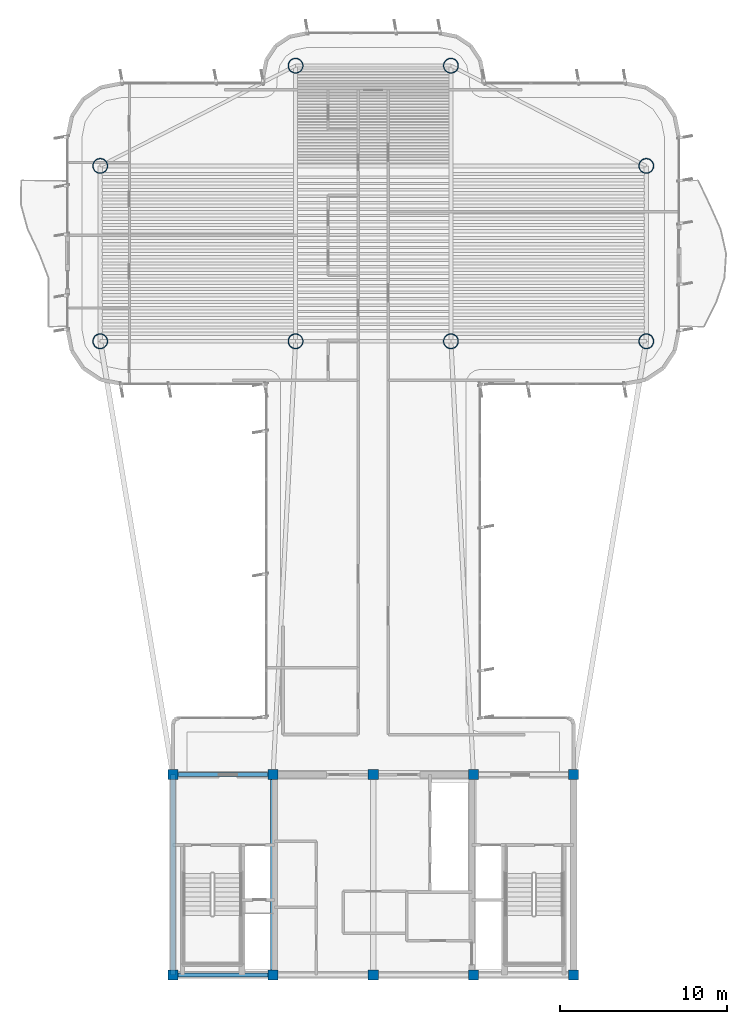
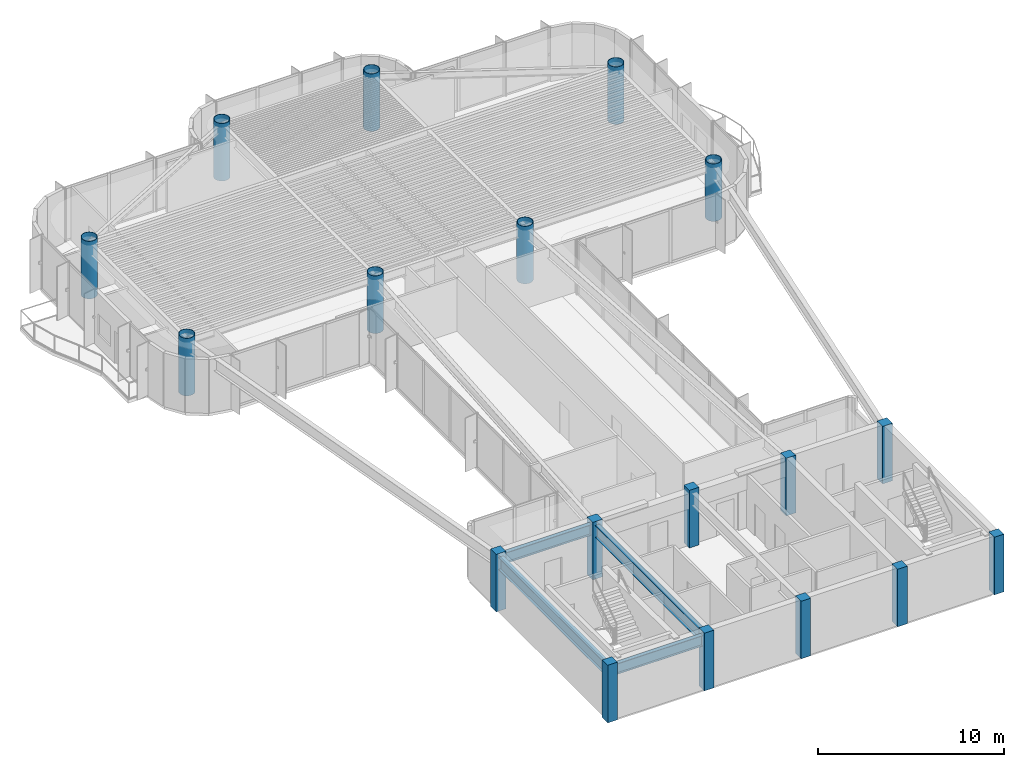
# One storey, part 1 of 15: 18 columns, 4 beams.
"""IFC4 building model written with IfcOpenShell, lengths in metres."""

import ifcopenshell
import ifcopenshell.guid

model = None  # the IFC model being written
_history = None  # IfcOwnerHistory: only IFC2X3 demands one
_inside = {}  # id of a spatial element -> (the spatial element, [elements in it])
_under = {}  # id of a project, library or spatial element -> (it, [spatial elements below it])
_declared = {}  # id of a project -> (the project, [libraries it declares])
_typed = {}  # id of a type object -> (the type object, [elements of that type])
_made_of = {}  # id of a material, layer set ... -> (it, [elements and type objects made of it])


def new_model(schema):
    """Start an empty IFC model of exactly this schema.

    Asked for "IFC4X3", IfcOpenShell would pick the latest addendum, in which some entities
    have other attributes; the version numbers below select the first issue.
    IFC2X3 requires an IfcOwnerHistory on every rooted entity: one is made here for all.
    """
    global model, _history
    if schema == "IFC4X3":
        model = ifcopenshell.file(schema_version=(4, 3, 0, 0))
    else:
        model = ifcopenshell.file(schema=schema)
    _inside.clear()
    _under.clear()
    _declared.clear()
    _typed.clear()
    _made_of.clear()
    _history = None
    if model.schema == "IFC2X3":
        org = make("IfcOrganization", Name="unknown")
        user = make(
            "IfcPersonAndOrganization",
            ThePerson=make("IfcPerson", FamilyName="unknown"),
            TheOrganization=org,
        )
        app = make(
            "IfcApplication",
            ApplicationDeveloper=org,
            Version="unknown",
            ApplicationFullName="unknown",
            ApplicationIdentifier="unknown",
        )
        _history = make(
            "IfcOwnerHistory",
            OwningUser=user,
            OwningApplication=app,
            ChangeAction="ADDED",
            CreationDate=0,
        )
    return model


def make(cls, **values):
    """One entity of the class cls with the attributes given. An attribute that is None is left unset."""
    return model.create_entity(
        cls, **{name: value for name, value in values.items() if value is not None}
    )


def rooted(cls, **values):
    """An entity with a GlobalId (a new one), such as an element, a storey or a relation."""
    return make(cls, GlobalId=ifcopenshell.guid.new(), OwnerHistory=_history, **values)


def si_unit(unit_type, name, prefix=None):
    """IfcSIUnit, for example si_unit("LENGTHUNIT", "METRE", prefix="MILLI")."""
    return make("IfcSIUnit", UnitType=unit_type, Prefix=prefix, Name=name)


def assignment(units):
    """IfcUnitAssignment: the units of a project."""
    return None if units is None else make("IfcUnitAssignment", Units=units)


def point(xyz):
    """IfcCartesianPoint."""
    return None if xyz is None else make("IfcCartesianPoint", Coordinates=xyz)


def direction(xyz):
    """IfcDirection."""
    return None if xyz is None else make("IfcDirection", DirectionRatios=xyz)


def frame(location, z_axis=None, x_axis=None):
    """IfcAxis2Placement3D, a coordinate frame: its origin and axes. An axis left out is left unset."""
    return make(
        "IfcAxis2Placement3D",
        Location=point(location),
        Axis=direction(z_axis),
        RefDirection=direction(x_axis),
    )


def frame_2d(location, x_axis=None):
    """IfcAxis2Placement2D, a coordinate frame in the plane: its origin and x axis."""
    return make(
        "IfcAxis2Placement2D", Location=point(location), RefDirection=direction(x_axis)
    )


def origin():
    """The frame at (0, 0, 0) with its axes left unset."""
    return frame((0.0, 0.0, 0.0))


def origin_2d():
    """The frame at (0, 0) in the plane with its x axis left unset."""
    return frame_2d((0.0, 0.0))


def place(relative_to, where):
    """IfcLocalPlacement: puts the frame where relative to a parent placement (None: the world)."""
    return make(
        "IfcLocalPlacement", PlacementRelTo=relative_to, RelativePlacement=where
    )


def context(
    kind, dimensions, precision=None, world=None, true_north=None, identifier=None
):
    """IfcGeometricRepresentationContext, for example the 3D "Model" context."""
    return make(
        "IfcGeometricRepresentationContext",
        ContextIdentifier=identifier,
        ContextType=kind,
        CoordinateSpaceDimension=dimensions,
        Precision=precision,
        WorldCoordinateSystem=world,
        TrueNorth=true_north,
    )


def subcontext(parent, identifier, kind, view, scale=None):
    """IfcGeometricRepresentationSubContext, for example "Body" below "Model"."""
    return make(
        "IfcGeometricRepresentationSubContext",
        ContextIdentifier=identifier,
        ContextType=kind,
        ParentContext=parent,
        TargetScale=scale,
        TargetView=view,
    )


def project(units=None, contexts=None):
    """IfcProject with its units and contexts."""
    return rooted(
        "IfcProject",
        Name="project",
        RepresentationContexts=contexts,
        UnitsInContext=assignment(units),
    )


def spatial(cls, under=None, at=None, **own):
    """A site, building, storey or space (cls), placed at a placement, below another one or the project."""
    s = rooted(cls, ObjectPlacement=at, **own)
    if under is not None:
        _under.setdefault(under.id(), (under, []))[1].append(s)
    return s


def profile(cls, at=None, kind="AREA", **sizes):
    """A parametric profile (cls). Its sizes go by their IFC names, for example OverallWidth=200.0."""
    return make(cls, ProfileType=kind, Position=at, **sizes)


def rectangle(**sizes):
    """IfcRectangleProfileDef."""
    return profile("IfcRectangleProfileDef", **sizes)


def hollow_circle(**sizes):
    """IfcCircleHollowProfileDef."""
    return profile("IfcCircleHollowProfileDef", **sizes)


def i_section(**sizes):
    """IfcIShapeProfileDef."""
    return profile("IfcIShapeProfileDef", **sizes)


def extrude(swept, where, along, depth):
    """IfcExtrudedAreaSolid: the profile swept, set in the frame where, extruded along a direction by depth."""
    return make(
        "IfcExtrudedAreaSolid",
        SweptArea=swept,
        Position=where,
        ExtrudedDirection=direction(along),
        Depth=depth,
    )


def shape(context_of_items, identifier, shape_type, items):
    """IfcShapeRepresentation: the items that make up one representation, for example the "Body"."""
    return make(
        "IfcShapeRepresentation",
        ContextOfItems=context_of_items,
        RepresentationIdentifier=identifier,
        RepresentationType=shape_type,
        Items=items,
    )


def source(mapping_origin, context_of_items, identifier, shape_type, items):
    """IfcRepresentationMap: a shape defined once, which mapped items show again and again."""
    return make(
        "IfcRepresentationMap",
        MappingOrigin=mapping_origin,
        MappedRepresentation=shape(context_of_items, identifier, shape_type, items),
    )


def transform(
    local_origin,
    x_axis=None,
    y_axis=None,
    z_axis=None,
    scale=None,
    scale2=None,
    scale3=None,
    uniform=True,
):
    """IfcCartesianTransformationOperator3D, or its non-uniform kind. x_axis, y_axis, z_axis: its Axis1, 2, 3."""
    if uniform:
        return make(
            "IfcCartesianTransformationOperator3D",
            Axis1=direction(x_axis),
            Axis2=direction(y_axis),
            LocalOrigin=point(local_origin),
            Scale=scale,
            Axis3=direction(z_axis),
        )
    return make(
        "IfcCartesianTransformationOperator3DnonUniform",
        Axis1=direction(x_axis),
        Axis2=direction(y_axis),
        LocalOrigin=point(local_origin),
        Scale=scale,
        Axis3=direction(z_axis),
        Scale2=scale2,
        Scale3=scale3,
    )


def mapped(mapping_source, mapping_target):
    """IfcMappedItem: shows the shape of a source again, moved by a transform."""
    return make(
        "IfcMappedItem", MappingSource=mapping_source, MappingTarget=mapping_target
    )


def material(Name=None, Category=None):
    """IfcMaterial."""
    return make("IfcMaterial", Name=Name, Category=Category)


def material_profile(
    of_material, cross_section, Name=None, Category=None, Priority=None
):
    """IfcMaterialProfile: a cross section and its material."""
    return make(
        "IfcMaterialProfile",
        Name=Name,
        Material=of_material,
        Profile=cross_section,
        Priority=Priority,
        Category=Category,
    )


def profile_set(profiles, Name=None, composite=None):
    """IfcMaterialProfileSet."""
    return make(
        "IfcMaterialProfileSet",
        Name=Name,
        MaterialProfiles=profiles,
        CompositeProfile=composite,
    )


def made_of(thing, what):
    """Note that an element or type object is made of a material, layer set ...; save() writes the relation."""
    if what is not None:
        _made_of.setdefault(what.id(), (what, []))[1].append(thing)
    return thing


def type_object(cls, material=None, **own):
    """A type object (cls), such as IfcWallType, which elements share."""
    return made_of(rooted(cls, **own), material)


def element(
    cls,
    number,
    at=None,
    inside=None,
    cuts=None,
    type_object=None,
    material=None,
    context=None,
    identifier="Body",
    shape_type=None,
    held_by="IfcProductDefinitionShape",
    body=None,
    shapes=None,
    **own,
):
    """One element of the class cls, such as IfcWall. Its Tag is "e" and its number.

    at: its placement. inside: the storey or other place that contains it. cuts: it is an
    opening in that element (IfcRelVoidsElement). A single representation is given by context,
    identifier, shape_type and body (its items); several are given by shapes. held_by: the class
    of the entity that holds the representations. save() writes the other relations.
    """
    e = rooted(cls, Tag="e%d" % number, ObjectPlacement=at, **own)
    if body is not None:
        shapes = [shape(context, identifier, shape_type, body)]
    if shapes is not None:
        e.Representation = make(held_by, Representations=shapes)
    if inside is not None:
        _inside.setdefault(inside.id(), (inside, []))[1].append(e)
    if cuts is not None:
        rooted(
            "IfcRelVoidsElement", RelatingBuildingElement=cuts, RelatedOpeningElement=e
        )
    if type_object is not None:
        _typed.setdefault(type_object.id(), (type_object, []))[1].append(e)
    return made_of(e, material)


def aggregate(whole, parts):
    """IfcRelAggregates: a whole, such as a stair, and the parts it consists of."""
    return rooted("IfcRelAggregates", RelatingObject=whole, RelatedObjects=parts)


def save(model, path):
    """Write the relations noted so far, then the file.

    IfcRelAggregates (storeys below a building ...), IfcRelContainedInSpatialStructure (elements
    in a storey), IfcRelDefinesByType, IfcRelAssociatesMaterial and IfcRelDeclares: one each for
    every whole, place, type object, material and project.
    """
    for whole, parts in _under.values():
        aggregate(whole, parts)
    for where, things in _inside.values():
        rooted(
            "IfcRelContainedInSpatialStructure",
            RelatedElements=things,
            RelatingStructure=where,
        )
    for kind, things in _typed.values():
        rooted("IfcRelDefinesByType", RelatedObjects=things, RelatingType=kind)
    for what, things in _made_of.values():
        rooted("IfcRelAssociatesMaterial", RelatedObjects=things, RelatingMaterial=what)
    for by, libraries in _declared.values():
        rooted("IfcRelDeclares", RelatingContext=by, RelatedDefinitions=libraries)
    model.write(path)


model = new_model("IFC4")

# Units and contexts
model_context = context("Model", 3, precision=1e-05, world=origin(), true_north=direction((0.0, 1.0)))
body_context = subcontext(model_context, "Body", "Model", "MODEL_VIEW")
ifc_project = project(units=[si_unit("LENGTHUNIT", "METRE"), si_unit("AREAUNIT", "SQUARE_METRE"), si_unit("VOLUMEUNIT", "CUBIC_METRE"), si_unit("PLANEANGLEUNIT", "RADIAN"), si_unit("MASSUNIT", "GRAM", prefix="KILO")], contexts=[model_context])

# Site, building, storey
site_placement = place(None, origin())
site = spatial("IfcSite", under=ifc_project, at=site_placement, CompositionType="ELEMENT")
building_placement = place(site_placement, origin())
building = spatial("IfcBuilding", under=site, at=building_placement, Name="Brelvock Crest Care Tower", CompositionType="ELEMENT")
storey_placement = place(building_placement, frame((0.0, 0.0, 279.719970703125)))
storey = spatial("IfcBuildingStorey", under=building, at=storey_placement, Name="L71", CompositionType="ELEMENT", Elevation=279.719970703125)

# Columns
ifc_material_1 = material(Name="Concrete S65 (65 MPa)", Category="concrete")
ifc_material_profile_1 = material_profile(ifc_material_1, rectangle(XDim=0.60009765625, YDim=0.60009765625, at=origin_2d()), Name="RC600x600")
ifc_profile_set_1 = profile_set([ifc_material_profile_1], Name="Concrete S65 (65 MPa)")
column_type_1 = type_object("IfcColumnType", Name="COL-RC4", PredefinedType="COLUMN", material=ifc_profile_set_1)
shared_shape_1 = source(origin(), body_context, "Body", "SweptSolid", [
    extrude(rectangle(XDim=0.60009765625, YDim=0.60009765625, at=origin_2d()), origin(), (0.0, 0.0, 1.0), 3.780029296875),
])
for number, where, z_axis, x_axis, name in (
    (1, (24.0, 6.0, 0.0), (0.0, 0.0, 1.0), (1.0, 0.0, 0.0), "L71 Core Column CC-01"),
    (2, (30.0, 6.0, 0.0), (0.0, 0.0, 1.0), (1.0, 0.0, 0.0), "L71 Core Column CC-02"),
    (3, (36.0, 6.0, 0.0), (0.0, 0.0, 1.0), (1.0, 0.0, 0.0), "L71 Core Column CC-03"),
    (4, (42.0, 6.0, 0.0), (0.0, 0.0, 1.0), (1.0, 0.0, 0.0), "L71 Core Column CC-04"),
    (5, (48.0, 6.0, 0.0), (0.0, 0.0, 1.0), (1.0, 0.0, 0.0), "L71 Core Column CC-05"),
    (6, (24.0, 18.0, 0.0), (0.0, 0.0, 1.0), (1.0, 0.0, 0.0), "L71 Core Column CC-06"),
    (7, (30.0, 18.0, 0.0), (0.0, 0.0, 1.0), (1.0, 0.0, 0.0), "L71 Core Column CC-07"),
    (8, (36.0, 18.0, 0.0), (0.0, 0.0, 1.0), (1.0, 0.0, 0.0), "L71 Core Column CC-08"),
    (9, (42.0, 18.0, 0.0), (0.0, 0.0, 1.0), (1.0, 0.0, 0.0), "L71 Core Column CC-09"),
    (10, (48.0, 18.0, 0.0), (0.0, 0.0, 1.0), (1.0, 0.0, 0.0), "L71 Core Column CC-10"),
):
    element("IfcColumn", number, at=place(storey_placement, frame(where, z_axis=z_axis, x_axis=x_axis)), inside=storey, type_object=column_type_1, Name=name, PredefinedType="COLUMN", context=body_context, shape_type="MappedRepresentation", body=[
        mapped(shared_shape_1, transform((0.0, 0.0, 0.0), x_axis=(1.0, 0.0, 0.0), y_axis=(0.0, 1.0, 0.0), z_axis=(0.0, 0.0, 1.0), scale=1.0)),
    ])
ifc_material_2 = material(Name="Steel Grade 350", Category="steel")
ifc_material_profile_2 = material_profile(ifc_material_2, hollow_circle(Radius=0.449951171875, WallThickness=0.031982421875, at=origin_2d()), Name="CFT900x32")
ifc_profile_set_2 = profile_set([ifc_material_profile_2], Name="Steel Grade 350")
column_type_2 = type_object("IfcColumnType", Name="COL-MC4", PredefinedType="COLUMN", material=ifc_profile_set_2)
shared_shape_2 = source(origin(), body_context, "Body", "SweptSolid", [
    extrude(hollow_circle(Radius=0.449951171875, WallThickness=0.031982421875, at=origin_2d()), origin(), (0.0, 0.0, 1.0), 3.780029296875),
])
for number, where, z_axis, x_axis, name in (
    (11, (19.64990234375, 43.949951171875, 0.0), (0.0, 0.0, 1.0), (1.0, 0.0, 0.0), "L71 Tower Column M1"),
    (12, (19.64990234375, 54.449951171875, 0.0), (0.0, 0.0, 1.0), (1.0, 0.0, 0.0), "L71 Tower Column M2"),
    (13, (52.35009765625, 43.949951171875, 0.0), (0.0, 0.0, 1.0), (1.0, 0.0, 0.0), "L71 Tower Column M3"),
    (14, (52.35009765625, 54.449951171875, 0.0), (0.0, 0.0, 1.0), (1.0, 0.0, 0.0), "L71 Tower Column M4"),
    (15, (31.35009765625, 43.949951171875, 0.0), (0.0, 0.0, 1.0), (1.0, 0.0, 0.0), "L71 Tower Column M5"),
    (16, (40.64990234375, 43.949951171875, 0.0), (0.0, 0.0, 1.0), (1.0, 0.0, 0.0), "L71 Tower Column M6"),
    (17, (31.35009765625, 60.449951171875, 0.0), (0.0, 0.0, 1.0), (1.0, 0.0, 0.0), "L71 Tower Column M7"),
    (18, (40.64990234375, 60.449951171875, 0.0), (0.0, 0.0, 1.0), (1.0, 0.0, 0.0), "L71 Tower Column M8"),
):
    element("IfcColumn", number, at=place(storey_placement, frame(where, z_axis=z_axis, x_axis=x_axis)), inside=storey, type_object=column_type_2, Name=name, PredefinedType="COLUMN", context=body_context, shape_type="MappedRepresentation", body=[
        mapped(shared_shape_2, transform((0.0, 0.0, 0.0), x_axis=(1.0, 0.0, 0.0), y_axis=(0.0, 1.0, 0.0), z_axis=(0.0, 0.0, 1.0), scale=1.0)),
    ])

# Beams
ifc_material_profile_3 = material_profile(ifc_material_2, i_section(OverallWidth=0.25, OverallDepth=0.699951171875, WebThickness=0.011962890625, FlangeThickness=0.02001953125, at=origin_2d()), Name="700WB150")
ifc_profile_set_3 = profile_set([ifc_material_profile_3], Name="Steel Grade 350")
beam_type_1 = type_object("IfcBeamType", Name="BM-G4", PredefinedType="BEAM", material=ifc_profile_set_3)
shared_shape_3 = source(origin(), body_context, "Body", "SweptSolid", [
    extrude(i_section(OverallWidth=0.25, OverallDepth=0.699951171875, WebThickness=0.011962890625, FlangeThickness=0.02001953125, at=origin_2d()), origin(), (0.0, 0.0, 1.0), 6.0),
])
for number, where, z_axis, x_axis, name in (
    (19, (24.0, 6.0, 3.179931640625), (1.0, 0.0, 0.0), (0.0, 1.0, 0.0), "BM-CORES-L71-1"),
    (20, (24.0, 18.0, 3.179931640625), (1.0, 0.0, 0.0), (0.0, 1.0, 0.0), "BM-COREN-L71-1"),
):
    element("IfcBeam", number, at=place(storey_placement, frame(where, z_axis=z_axis, x_axis=x_axis)), inside=storey, type_object=beam_type_1, Name=name, PredefinedType="BEAM", context=body_context, shape_type="MappedRepresentation", body=[
        mapped(shared_shape_3, transform((0.0, 0.0, 0.0), x_axis=(1.0, 0.0, 0.0), y_axis=(0.0, 1.0, 0.0), z_axis=(0.0, 0.0, 1.0), scale=1.0)),
    ])
ifc_material_profile_4 = material_profile(ifc_material_2, i_section(OverallWidth=0.300048828125, OverallDepth=0.800048828125, WebThickness=0.013916015625, FlangeThickness=0.02197265625, at=origin_2d()), Name="800WB192")
ifc_profile_set_4 = profile_set([ifc_material_profile_4], Name="Steel Grade 350")
beam_type_2 = type_object("IfcBeamType", Name="BM-G5", PredefinedType="BEAM", material=ifc_profile_set_4)
shared_shape_4 = source(origin(), body_context, "Body", "SweptSolid", [
    extrude(i_section(OverallWidth=0.300048828125, OverallDepth=0.800048828125, WebThickness=0.013916015625, FlangeThickness=0.02197265625, at=origin_2d()), origin(), (0.0, 0.0, 1.0), 12.0),
])
for number, where, z_axis, x_axis, name in (
    (21, (24.0, 6.0, 3.130126953125), (0.0, 1.0, 0.0), (-1.0, 0.0, 0.0), "BM-COREX-L71-1"),
    (22, (30.0, 6.0, 3.130126953125), (0.0, 1.0, 0.0), (-1.0, 0.0, 0.0), "BM-COREX-L71-2"),
):
    element("IfcBeam", number, at=place(storey_placement, frame(where, z_axis=z_axis, x_axis=x_axis)), inside=storey, type_object=beam_type_2, Name=name, PredefinedType="BEAM", context=body_context, shape_type="MappedRepresentation", body=[
        mapped(shared_shape_4, transform((0.0, 0.0, 0.0), x_axis=(1.0, 0.0, 0.0), y_axis=(0.0, 1.0, 0.0), z_axis=(0.0, 0.0, 1.0), scale=1.0)),
    ])

save(model, "model.ifc")
